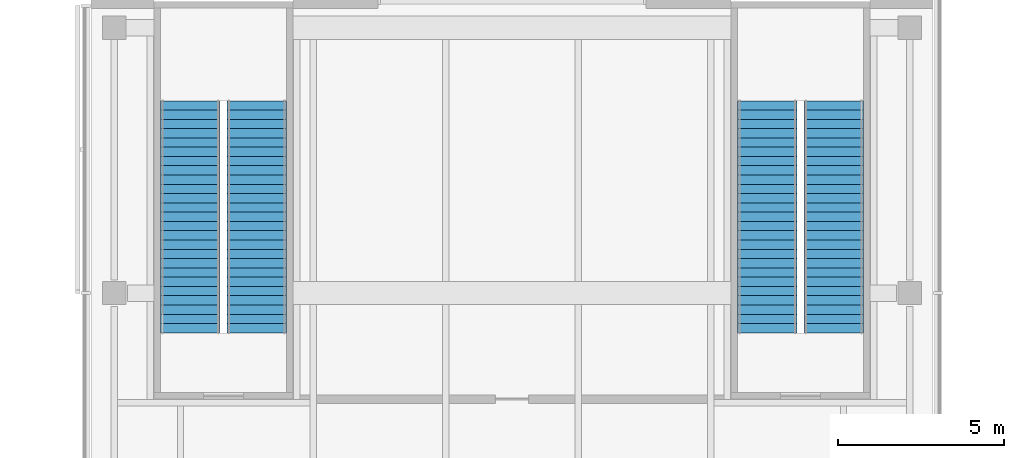
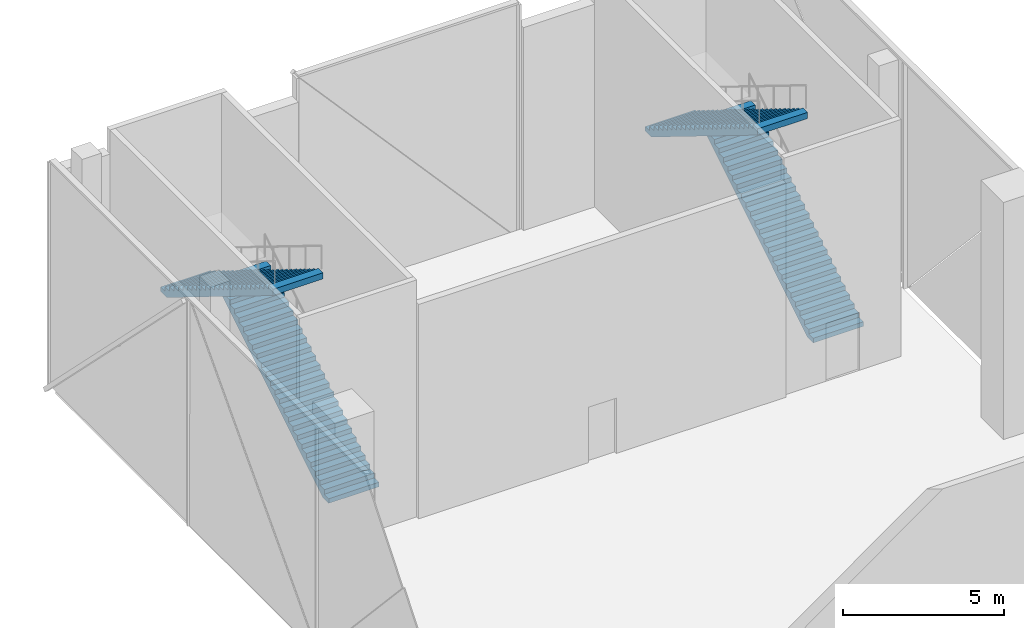
# One storey, part 20 of 26: 4 stair flights, 2 elements without a shape of their own.
"""IFC4 building model written with IfcOpenShell, lengths in metres."""

from ifc_helpers import new_model, si_unit, direction, frame, origin, place, context, subcontext, project, spatial, polyline, outline, extrude, material, type_object, element, aggregate, save


model = new_model("IFC4")

# Units and contexts
model_context = context("Model", 3, precision=1e-05, world=origin(), true_north=direction((0.0, 1.0)))
body_context = subcontext(model_context, "Body", "Model", "MODEL_VIEW")
ifc_project = project(units=[si_unit("LENGTHUNIT", "METRE"), si_unit("AREAUNIT", "SQUARE_METRE"), si_unit("VOLUMEUNIT", "CUBIC_METRE"), si_unit("PLANEANGLEUNIT", "RADIAN"), si_unit("MASSUNIT", "GRAM", prefix="KILO")], contexts=[model_context])

# Site, building, storey
site_placement = place(None, origin())
site = spatial("IfcSite", under=ifc_project, at=site_placement, CompositionType="ELEMENT")
building_placement = place(site_placement, origin())
building = spatial("IfcBuilding", under=site, at=building_placement, Name="Crosswind Convention Tower", CompositionType="ELEMENT")
storey_placement = place(building_placement, frame((0.0, 0.0, 25.0)))
storey = spatial("IfcBuildingStorey", under=building, at=storey_placement, Name="L03", CompositionType="ELEMENT", Elevation=25.0)

# Stair, stair flights
ifc_material = material(Name="Concrete C40/50", Category="concrete")
stair_type = type_object("IfcStairType", Name="PODIUM EXIT STAIR 9000 RISE", PredefinedType="HALF_TURN_STAIR", material=ifc_material)
stair_1_placement = place(storey_placement, origin())
stair_1 = element("IfcStair", 1, at=stair_1_placement, inside=storey, type_object=stair_type, Name="Exit stair N1 L03", ObjectType="ST12", PredefinedType="HALF_TURN_STAIR")
stair_flight_type = type_object("IfcStairFlightType", Name="PODIUM STAIR FLIGHT 26 RISERS", PredefinedType="STRAIGHT", material=ifc_material)
stair_flight_1_placement = place(storey_placement, frame((117.300048828125, 134.800048828125, 0.0), z_axis=(0.0, 0.0, 1.0), x_axis=(0.0, 1.0, 0.0)))
stair_flight_1 = element("IfcStairFlight", 2, at=stair_flight_1_placement, type_object=stair_flight_type, Name="ST12 flight 1", NumberOfRisers=26, NumberOfTreads=25, PredefinedType="STRAIGHT", RiserHeight=0.173077, TreadLength=0.28, context=body_context, shape_type="SweptSolid", body=[
    extrude(outline(polyline([(0.0, 0.0), (0.0, 0.173095703125), (0.280029296875, 0.173095703125), (0.280029296875, 0.34619140625), (0.56005859375, 0.34619140625), (0.56005859375, 0.519287109375), (0.840087890625, 0.519287109375), (0.840087890625, 0.6923828125), (1.1201171875, 0.6923828125), (1.1201171875, 0.865478515625), (1.39990234375, 0.865478515625), (1.39990234375, 1.03857421875), (1.679931640625, 1.03857421875), (1.679931640625, 1.21142578125), (1.9599609375, 1.21142578125), (1.9599609375, 1.384521484375), (2.239990234375, 1.384521484375), (2.239990234375, 1.5576171875), (2.52001953125, 1.5576171875), (2.52001953125, 1.730712890625), (2.800048828125, 1.730712890625), (2.800048828125, 1.90380859375), (3.080078125, 1.90380859375), (3.080078125, 2.076904296875), (3.360107421875, 2.076904296875), (3.360107421875, 2.25), (3.639892578125, 2.25), (3.639892578125, 2.423095703125), (3.919921875, 2.423095703125), (3.919921875, 2.59619140625), (4.199951171875, 2.59619140625), (4.199951171875, 2.769287109375), (4.47998046875, 2.769287109375), (4.47998046875, 2.9423828125), (4.760009765625, 2.9423828125), (4.760009765625, 3.115478515625), (5.0400390625, 3.115478515625), (5.0400390625, 3.28857421875), (5.320068359375, 3.28857421875), (5.320068359375, 3.46142578125), (5.60009765625, 3.46142578125), (5.60009765625, 3.634521484375), (5.8798828125, 3.634521484375), (5.8798828125, 3.8076171875), (6.159912109375, 3.8076171875), (6.159912109375, 3.980712890625), (6.43994140625, 3.980712890625), (6.43994140625, 4.15380859375), (6.719970703125, 4.15380859375), (6.719970703125, 4.326904296875), (7.0, 4.326904296875), (7.0, 4.5), (7.0, 4.091796875), (0.38037109375, 0.0), (0.0, 0.0)])), frame((0.0, 0.89990234375, 0.0), z_axis=(0.0, -1.0, 0.0), x_axis=(1.0, 0.0, 0.0)), (0.0, 0.0, 1.0), 1.800048828125),
])
stair_flight_2_placement = place(storey_placement, frame((115.300048828125, 141.800048828125, 4.5), z_axis=(0.0, 0.0, 1.0), x_axis=(0.0, -1.0, 0.0)))
stair_flight_2 = element("IfcStairFlight", 3, at=stair_flight_2_placement, type_object=stair_flight_type, Name="ST12 flight 2", NumberOfRisers=26, NumberOfTreads=25, PredefinedType="STRAIGHT", RiserHeight=0.173077, TreadLength=0.28, context=body_context, shape_type="SweptSolid", body=[
    extrude(outline(polyline([(0.0, 0.0), (0.0, 0.173095703125), (0.280029296875, 0.173095703125), (0.280029296875, 0.34619140625), (0.56005859375, 0.34619140625), (0.56005859375, 0.519287109375), (0.840087890625, 0.519287109375), (0.840087890625, 0.6923828125), (1.1201171875, 0.6923828125), (1.1201171875, 0.865478515625), (1.39990234375, 0.865478515625), (1.39990234375, 1.03857421875), (1.679931640625, 1.03857421875), (1.679931640625, 1.21142578125), (1.9599609375, 1.21142578125), (1.9599609375, 1.384521484375), (2.239990234375, 1.384521484375), (2.239990234375, 1.5576171875), (2.52001953125, 1.5576171875), (2.52001953125, 1.730712890625), (2.800048828125, 1.730712890625), (2.800048828125, 1.90380859375), (3.080078125, 1.90380859375), (3.080078125, 2.076904296875), (3.360107421875, 2.076904296875), (3.360107421875, 2.25), (3.639892578125, 2.25), (3.639892578125, 2.423095703125), (3.919921875, 2.423095703125), (3.919921875, 2.59619140625), (4.199951171875, 2.59619140625), (4.199951171875, 2.769287109375), (4.47998046875, 2.769287109375), (4.47998046875, 2.9423828125), (4.760009765625, 2.9423828125), (4.760009765625, 3.115478515625), (5.0400390625, 3.115478515625), (5.0400390625, 3.28857421875), (5.320068359375, 3.28857421875), (5.320068359375, 3.46142578125), (5.60009765625, 3.46142578125), (5.60009765625, 3.634521484375), (5.8798828125, 3.634521484375), (5.8798828125, 3.8076171875), (6.159912109375, 3.8076171875), (6.159912109375, 3.980712890625), (6.43994140625, 3.980712890625), (6.43994140625, 4.15380859375), (6.719970703125, 4.15380859375), (6.719970703125, 4.326904296875), (7.0, 4.326904296875), (7.0, 4.5), (7.0, 4.091796875), (0.38037109375, 0.0), (0.0, 0.0)])), frame((0.0, 0.89990234375, 0.0), z_axis=(0.0, -1.0, 0.0), x_axis=(1.0, 0.0, 0.0)), (0.0, 0.0, 1.0), 1.800048828125),
])
aggregate(stair_1, [stair_flight_1, stair_flight_2])

stair_2_placement = place(storey_placement, origin())
stair_2 = element("IfcStair", 4, at=stair_2_placement, inside=storey, type_object=stair_type, Name="Exit stair N2 L03", ObjectType="ST12", PredefinedType="HALF_TURN_STAIR")
stair_flight_3_placement = place(storey_placement, frame((134.699951171875, 134.800048828125, 0.0), z_axis=(0.0, 0.0, 1.0), x_axis=(0.0, 1.0, 0.0)))
stair_flight_3 = element("IfcStairFlight", 5, at=stair_flight_3_placement, type_object=stair_flight_type, Name="ST12 flight 1", NumberOfRisers=26, NumberOfTreads=25, PredefinedType="STRAIGHT", RiserHeight=0.173077, TreadLength=0.28, context=body_context, shape_type="SweptSolid", body=[
    extrude(outline(polyline([(0.0, 0.0), (0.0, 0.173095703125), (0.280029296875, 0.173095703125), (0.280029296875, 0.34619140625), (0.56005859375, 0.34619140625), (0.56005859375, 0.519287109375), (0.840087890625, 0.519287109375), (0.840087890625, 0.6923828125), (1.1201171875, 0.6923828125), (1.1201171875, 0.865478515625), (1.39990234375, 0.865478515625), (1.39990234375, 1.03857421875), (1.679931640625, 1.03857421875), (1.679931640625, 1.21142578125), (1.9599609375, 1.21142578125), (1.9599609375, 1.384521484375), (2.239990234375, 1.384521484375), (2.239990234375, 1.5576171875), (2.52001953125, 1.5576171875), (2.52001953125, 1.730712890625), (2.800048828125, 1.730712890625), (2.800048828125, 1.90380859375), (3.080078125, 1.90380859375), (3.080078125, 2.076904296875), (3.360107421875, 2.076904296875), (3.360107421875, 2.25), (3.639892578125, 2.25), (3.639892578125, 2.423095703125), (3.919921875, 2.423095703125), (3.919921875, 2.59619140625), (4.199951171875, 2.59619140625), (4.199951171875, 2.769287109375), (4.47998046875, 2.769287109375), (4.47998046875, 2.9423828125), (4.760009765625, 2.9423828125), (4.760009765625, 3.115478515625), (5.0400390625, 3.115478515625), (5.0400390625, 3.28857421875), (5.320068359375, 3.28857421875), (5.320068359375, 3.46142578125), (5.60009765625, 3.46142578125), (5.60009765625, 3.634521484375), (5.8798828125, 3.634521484375), (5.8798828125, 3.8076171875), (6.159912109375, 3.8076171875), (6.159912109375, 3.980712890625), (6.43994140625, 3.980712890625), (6.43994140625, 4.15380859375), (6.719970703125, 4.15380859375), (6.719970703125, 4.326904296875), (7.0, 4.326904296875), (7.0, 4.5), (7.0, 4.091796875), (0.38037109375, 0.0), (0.0, 0.0)])), frame((0.0, 0.89990234375, 0.0), z_axis=(0.0, -1.0, 0.0), x_axis=(1.0, 0.0, 0.0)), (0.0, 0.0, 1.0), 1.800048828125),
])
stair_flight_4_placement = place(storey_placement, frame((132.699951171875, 141.800048828125, 4.5), z_axis=(0.0, 0.0, 1.0), x_axis=(0.0, -1.0, 0.0)))
stair_flight_4 = element("IfcStairFlight", 6, at=stair_flight_4_placement, type_object=stair_flight_type, Name="ST12 flight 2", NumberOfRisers=26, NumberOfTreads=25, PredefinedType="STRAIGHT", RiserHeight=0.173077, TreadLength=0.28, context=body_context, shape_type="SweptSolid", body=[
    extrude(outline(polyline([(0.0, 0.0), (0.0, 0.173095703125), (0.280029296875, 0.173095703125), (0.280029296875, 0.34619140625), (0.56005859375, 0.34619140625), (0.56005859375, 0.519287109375), (0.840087890625, 0.519287109375), (0.840087890625, 0.6923828125), (1.1201171875, 0.6923828125), (1.1201171875, 0.865478515625), (1.39990234375, 0.865478515625), (1.39990234375, 1.03857421875), (1.679931640625, 1.03857421875), (1.679931640625, 1.21142578125), (1.9599609375, 1.21142578125), (1.9599609375, 1.384521484375), (2.239990234375, 1.384521484375), (2.239990234375, 1.5576171875), (2.52001953125, 1.5576171875), (2.52001953125, 1.730712890625), (2.800048828125, 1.730712890625), (2.800048828125, 1.90380859375), (3.080078125, 1.90380859375), (3.080078125, 2.076904296875), (3.360107421875, 2.076904296875), (3.360107421875, 2.25), (3.639892578125, 2.25), (3.639892578125, 2.423095703125), (3.919921875, 2.423095703125), (3.919921875, 2.59619140625), (4.199951171875, 2.59619140625), (4.199951171875, 2.769287109375), (4.47998046875, 2.769287109375), (4.47998046875, 2.9423828125), (4.760009765625, 2.9423828125), (4.760009765625, 3.115478515625), (5.0400390625, 3.115478515625), (5.0400390625, 3.28857421875), (5.320068359375, 3.28857421875), (5.320068359375, 3.46142578125), (5.60009765625, 3.46142578125), (5.60009765625, 3.634521484375), (5.8798828125, 3.634521484375), (5.8798828125, 3.8076171875), (6.159912109375, 3.8076171875), (6.159912109375, 3.980712890625), (6.43994140625, 3.980712890625), (6.43994140625, 4.15380859375), (6.719970703125, 4.15380859375), (6.719970703125, 4.326904296875), (7.0, 4.326904296875), (7.0, 4.5), (7.0, 4.091796875), (0.38037109375, 0.0), (0.0, 0.0)])), frame((0.0, 0.89990234375, 0.0), z_axis=(0.0, -1.0, 0.0), x_axis=(1.0, 0.0, 0.0)), (0.0, 0.0, 1.0), 1.800048828125),
])
aggregate(stair_2, [stair_flight_3, stair_flight_4])

save(model, "model.ifc")
